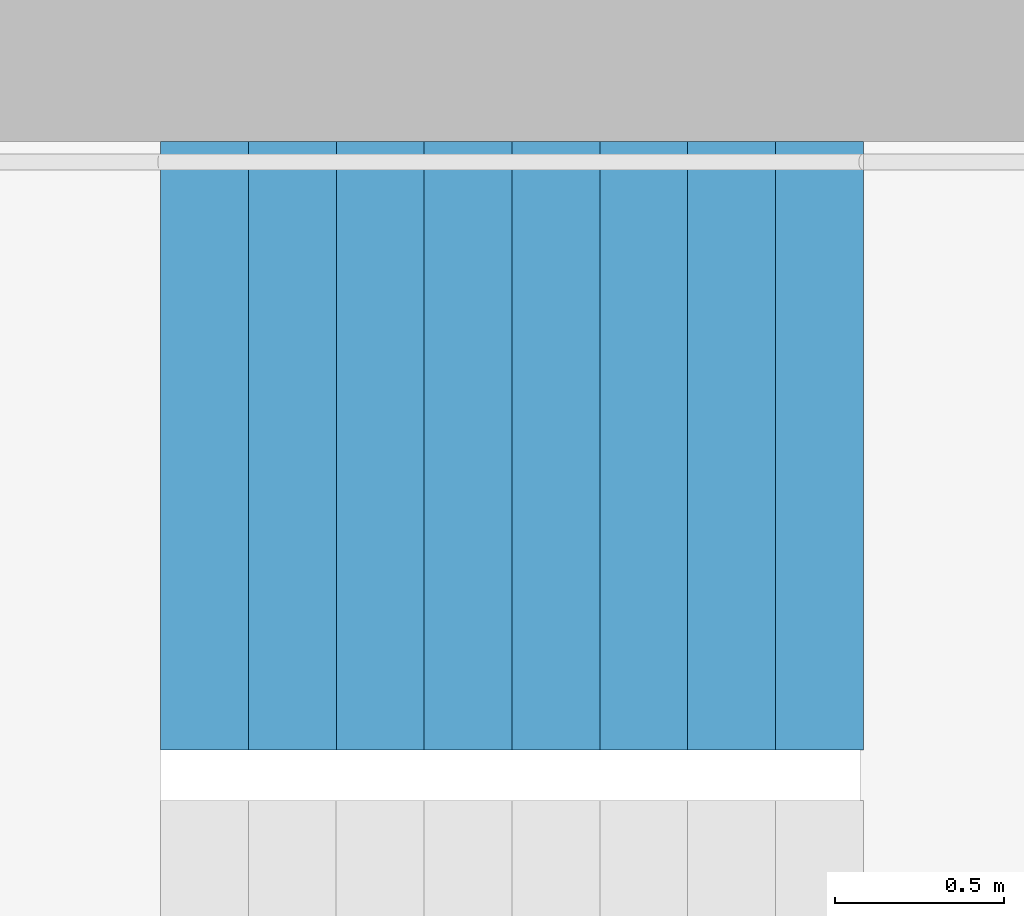
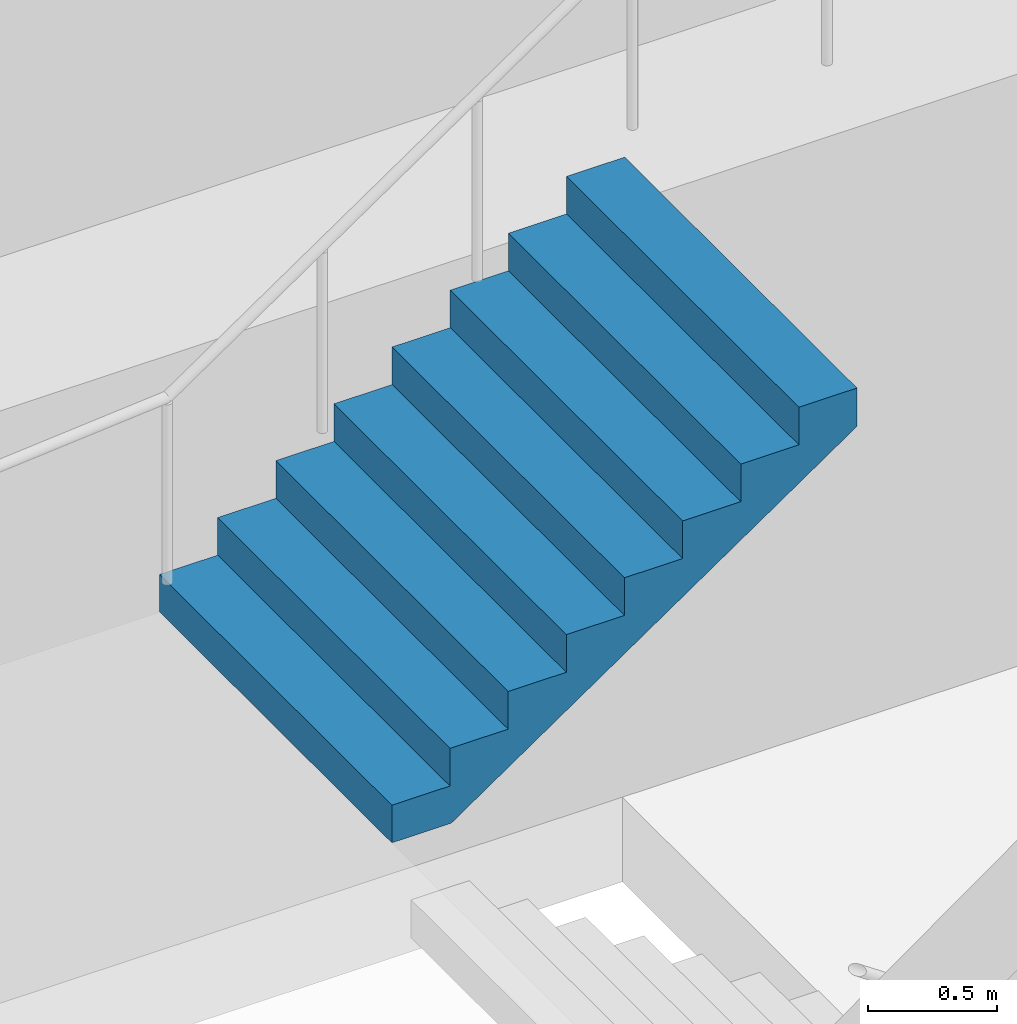
# One storey, part 28 of 29: 1 stair flight, 1 element without a shape of its own.
"""IFC4 building model written with IfcOpenShell, lengths in metres."""

from ifc_helpers import new_model, si_unit, direction, frame, origin, place, context, subcontext, project, spatial, triangles, material, type_object, element, aggregate, save


model = new_model("IFC4")

# Units and contexts
model_context = context("Model", 3, precision=1e-05, world=origin(), true_north=direction((0.0, 1.0)))
body_context = subcontext(model_context, "Body", "Model", "MODEL_VIEW")
ifc_project = project(units=[si_unit("LENGTHUNIT", "METRE"), si_unit("AREAUNIT", "SQUARE_METRE"), si_unit("VOLUMEUNIT", "CUBIC_METRE"), si_unit("PLANEANGLEUNIT", "RADIAN"), si_unit("MASSUNIT", "GRAM", prefix="KILO")], contexts=[model_context])

# Site, building, storey
site_placement = place(None, origin())
site = spatial("IfcSite", under=ifc_project, at=site_placement, CompositionType="ELEMENT")
building_placement = place(site_placement, origin())
building = spatial("IfcBuilding", under=site, at=building_placement, Name="Hakoniwa Tower and Hamabe Station Hall", CompositionType="ELEMENT")
storey_placement = place(building_placement, frame((0.0, 0.0, 23.0)))
storey = spatial("IfcBuildingStorey", under=building, at=storey_placement, Name="L05", CompositionType="ELEMENT", Elevation=23.0)

# Stair, stair flight
ifc_material_1 = material(Name="Concrete C40", Category="concrete")
stair_type = type_object("IfcStairType", Name="ESCAPE STAIR 1800", PredefinedType="HALF_TURN_STAIR", material=ifc_material_1)
stair_placement = place(storey_placement, origin())
stair = element("IfcStair", 1, at=stair_placement, inside=storey, type_object=stair_type, Name="Escape stair ST-3 L05", PredefinedType="HALF_TURN_STAIR")
ifc_material_2 = material(Name="Concrete C40", Category="concrete")
stair_flight_type = type_object("IfcStairFlightType", Name="STAIR FLIGHT 1800", PredefinedType="STRAIGHT", material=ifc_material_2)
stair_flight_placement = place(storey_placement, frame((22.320068359375, 6.60009765625, 1.60009765625), z_axis=(0.0, 0.0, 1.0), x_axis=(1.0, 0.0, 0.0)))
stair_flight = element("IfcStairFlight", 2, at=stair_flight_placement, type_object=stair_flight_type, Name="ST-3 flight 2", NumberOfRisers=9, NumberOfTreads=8, PredefinedType="STRAIGHT", RiserHeight=0.177777778, TreadLength=0.26, context=body_context, shape_type="Tessellation", body=[
    triangles([(0.0, 0.89990234375, 0.0), (0.260009765625, 0.89990234375, 0.0), (0.265625, 0.89990234375, 0.0), (0.52001953125, 0.89990234375, 0.174072265625), (0.780029296875, 0.89990234375, 0.351806640625), (1.0400390625, 0.89990234375, 0.529541015625), (1.300048828125, 0.89990234375, 0.707275390625), (1.56005859375, 0.89990234375, 0.885009765625), (1.820068359375, 0.89990234375, 1.062744140625), (2.080078125, 0.89990234375, 1.24072265625), (2.080078125, 0.89990234375, 1.422119140625), (1.820068359375, 0.89990234375, 1.422119140625), (1.820068359375, 0.89990234375, 1.244384765625), (1.56005859375, 0.89990234375, 1.244384765625), (1.56005859375, 0.89990234375, 1.066650390625), (1.300048828125, 0.89990234375, 1.066650390625), (1.300048828125, 0.89990234375, 0.888916015625), (1.0400390625, 0.89990234375, 0.888916015625), (1.0400390625, 0.89990234375, 0.711181640625), (0.780029296875, 0.89990234375, 0.711181640625), (0.780029296875, 0.89990234375, 0.533447265625), (0.52001953125, 0.89990234375, 0.533447265625), (0.52001953125, 0.89990234375, 0.35546875), (0.265625, 0.89990234375, 0.35546875), (0.260009765625, 0.89990234375, 0.35546875), (0.260009765625, 0.89990234375, 0.177734375), (0.0, 0.89990234375, 0.177734375), (0.0, 0.06005859375, 0.0), (0.260009765625, 0.06005859375, 0.0), (0.265625, 0.06005859375, 0.0), (0.52001953125, 0.06005859375, 0.174072265625), (0.780029296875, 0.06005859375, 0.351806640625), (1.0400390625, 0.06005859375, 0.529541015625), (1.300048828125, 0.06005859375, 0.707275390625), (1.56005859375, 0.06005859375, 0.885009765625), (1.820068359375, 0.06005859375, 1.062744140625), (2.080078125, 0.06005859375, 1.24072265625), (2.080078125, 0.06005859375, 1.422119140625), (1.820068359375, 0.06005859375, 1.422119140625), (1.820068359375, 0.06005859375, 1.244384765625), (1.56005859375, 0.06005859375, 1.244384765625), (1.56005859375, 0.06005859375, 1.066650390625), (1.300048828125, 0.06005859375, 1.066650390625), (1.300048828125, 0.06005859375, 0.888916015625), (1.0400390625, 0.06005859375, 0.888916015625), (1.0400390625, 0.06005859375, 0.711181640625), (0.780029296875, 0.06005859375, 0.711181640625), (0.780029296875, 0.06005859375, 0.533447265625), (0.52001953125, 0.06005859375, 0.533447265625), (0.52001953125, 0.06005859375, 0.35546875), (0.265625, 0.06005859375, 0.35546875), (0.260009765625, 0.06005859375, 0.35546875), (0.260009765625, 0.06005859375, 0.177734375), (0.0, 0.06005859375, 0.177734375), (0.0, 0.04296875, 0.0), (0.260009765625, 0.04296875, 0.0), (0.265625, 0.04296875, 0.0), (0.52001953125, 0.04296875, 0.174072265625), (0.780029296875, 0.04296875, 0.351806640625), (1.0400390625, 0.04296875, 0.529541015625), (1.300048828125, 0.04296875, 0.707275390625), (1.56005859375, 0.04296875, 0.885009765625), (1.820068359375, 0.04296875, 1.062744140625), (2.080078125, 0.04296875, 1.24072265625), (2.080078125, 0.04296875, 1.422119140625), (1.820068359375, 0.04296875, 1.422119140625), (1.820068359375, 0.04296875, 1.244384765625), (1.56005859375, 0.04296875, 1.244384765625), (1.56005859375, 0.04296875, 1.066650390625), (1.300048828125, 0.04296875, 1.066650390625), (1.300048828125, 0.04296875, 0.888916015625), (1.0400390625, 0.04296875, 0.888916015625), (1.0400390625, 0.04296875, 0.711181640625), (0.780029296875, 0.04296875, 0.711181640625), (0.780029296875, 0.04296875, 0.533447265625), (0.52001953125, 0.04296875, 0.533447265625), (0.52001953125, 0.04296875, 0.35546875), (0.265625, 0.04296875, 0.35546875), (0.260009765625, 0.04296875, 0.35546875), (0.260009765625, 0.04296875, 0.177734375), (0.0, 0.04296875, 0.177734375), (0.0, 0.025634765625, 0.0), (0.260009765625, 0.025634765625, 0.0), (0.265625, 0.025634765625, 0.0), (0.52001953125, 0.025634765625, 0.174072265625), (0.780029296875, 0.025634765625, 0.351806640625), (1.0400390625, 0.025634765625, 0.529541015625), (1.300048828125, 0.025634765625, 0.707275390625), (1.56005859375, 0.025634765625, 0.885009765625), (1.820068359375, 0.025634765625, 1.062744140625), (2.080078125, 0.025634765625, 1.24072265625), (2.080078125, 0.025634765625, 1.422119140625), (1.820068359375, 0.025634765625, 1.422119140625), (1.820068359375, 0.025634765625, 1.244384765625), (1.56005859375, 0.025634765625, 1.244384765625), (1.56005859375, 0.025634765625, 1.066650390625), (1.300048828125, 0.025634765625, 1.066650390625), (1.300048828125, 0.025634765625, 0.888916015625), (1.0400390625, 0.025634765625, 0.888916015625), (1.0400390625, 0.025634765625, 0.711181640625), (0.780029296875, 0.025634765625, 0.711181640625), (0.780029296875, 0.025634765625, 0.533447265625), (0.52001953125, 0.025634765625, 0.533447265625), (0.52001953125, 0.025634765625, 0.35546875), (0.265625, 0.025634765625, 0.35546875), (0.260009765625, 0.025634765625, 0.35546875), (0.260009765625, 0.025634765625, 0.177734375), (0.0, 0.025634765625, 0.177734375), (0.0, 0.008544921875, 0.0), (0.260009765625, 0.008544921875, 0.0), (0.265625, 0.008544921875, 0.0), (0.52001953125, 0.008544921875, 0.174072265625), (0.780029296875, 0.008544921875, 0.351806640625), (1.0400390625, 0.008544921875, 0.529541015625), (1.300048828125, 0.008544921875, 0.707275390625), (1.56005859375, 0.008544921875, 0.885009765625), (1.820068359375, 0.008544921875, 1.062744140625), (2.080078125, 0.008544921875, 1.24072265625), (2.080078125, 0.008544921875, 1.422119140625), (1.820068359375, 0.008544921875, 1.422119140625), (1.820068359375, 0.008544921875, 1.244384765625), (1.56005859375, 0.008544921875, 1.244384765625), (1.56005859375, 0.008544921875, 1.066650390625), (1.300048828125, 0.008544921875, 1.066650390625), (1.300048828125, 0.008544921875, 0.888916015625), (1.0400390625, 0.008544921875, 0.888916015625), (1.0400390625, 0.008544921875, 0.711181640625), (0.780029296875, 0.008544921875, 0.711181640625), (0.780029296875, 0.008544921875, 0.533447265625), (0.52001953125, 0.008544921875, 0.533447265625), (0.52001953125, 0.008544921875, 0.35546875), (0.265625, 0.008544921875, 0.35546875), (0.260009765625, 0.008544921875, 0.35546875), (0.260009765625, 0.008544921875, 0.177734375), (0.0, 0.008544921875, 0.177734375), (0.0, -0.008544921875, 0.0), (0.260009765625, -0.008544921875, 0.0), (0.265625, -0.008544921875, 0.0), (0.52001953125, -0.008544921875, 0.174072265625), (0.780029296875, -0.008544921875, 0.351806640625), (1.0400390625, -0.008544921875, 0.529541015625), (1.300048828125, -0.008544921875, 0.707275390625), (1.56005859375, -0.008544921875, 0.885009765625), (1.820068359375, -0.008544921875, 1.062744140625), (2.080078125, -0.008544921875, 1.24072265625), (2.080078125, -0.008544921875, 1.422119140625), (1.820068359375, -0.008544921875, 1.422119140625), (1.820068359375, -0.008544921875, 1.244384765625), (1.56005859375, -0.008544921875, 1.244384765625), (1.56005859375, -0.008544921875, 1.066650390625), (1.300048828125, -0.008544921875, 1.066650390625), (1.300048828125, -0.008544921875, 0.888916015625), (1.0400390625, -0.008544921875, 0.888916015625), (1.0400390625, -0.008544921875, 0.711181640625), (0.780029296875, -0.008544921875, 0.711181640625), (0.780029296875, -0.008544921875, 0.533447265625), (0.52001953125, -0.008544921875, 0.533447265625), (0.52001953125, -0.008544921875, 0.35546875), (0.265625, -0.008544921875, 0.35546875), (0.260009765625, -0.008544921875, 0.35546875), (0.260009765625, -0.008544921875, 0.177734375), (0.0, -0.008544921875, 0.177734375), (0.0, -0.025634765625, 0.0), (0.260009765625, -0.025634765625, 0.0), (0.265625, -0.025634765625, 0.0), (0.52001953125, -0.025634765625, 0.174072265625), (0.780029296875, -0.025634765625, 0.351806640625), (1.0400390625, -0.025634765625, 0.529541015625), (1.300048828125, -0.025634765625, 0.707275390625), (1.56005859375, -0.025634765625, 0.885009765625), (1.820068359375, -0.025634765625, 1.062744140625), (2.080078125, -0.025634765625, 1.24072265625), (2.080078125, -0.025634765625, 1.422119140625), (1.820068359375, -0.025634765625, 1.422119140625), (1.820068359375, -0.025634765625, 1.244384765625), (1.56005859375, -0.025634765625, 1.244384765625), (1.56005859375, -0.025634765625, 1.066650390625), (1.300048828125, -0.025634765625, 1.066650390625), (1.300048828125, -0.025634765625, 0.888916015625), (1.0400390625, -0.025634765625, 0.888916015625), (1.0400390625, -0.025634765625, 0.711181640625), (0.780029296875, -0.025634765625, 0.711181640625), (0.780029296875, -0.025634765625, 0.533447265625), (0.52001953125, -0.025634765625, 0.533447265625), (0.52001953125, -0.025634765625, 0.35546875), (0.265625, -0.025634765625, 0.35546875), (0.260009765625, -0.025634765625, 0.35546875), (0.260009765625, -0.025634765625, 0.177734375), (0.0, -0.025634765625, 0.177734375), (0.0, -0.04296875, 0.0), (0.260009765625, -0.04296875, 0.0), (0.265625, -0.04296875, 0.0), (0.52001953125, -0.04296875, 0.174072265625), (0.780029296875, -0.04296875, 0.351806640625), (1.0400390625, -0.04296875, 0.529541015625), (1.300048828125, -0.04296875, 0.707275390625), (1.56005859375, -0.04296875, 0.885009765625), (1.820068359375, -0.04296875, 1.062744140625), (2.080078125, -0.04296875, 1.24072265625), (2.080078125, -0.04296875, 1.422119140625), (1.820068359375, -0.04296875, 1.422119140625), (1.820068359375, -0.04296875, 1.244384765625), (1.56005859375, -0.04296875, 1.244384765625), (1.56005859375, -0.04296875, 1.066650390625), (1.300048828125, -0.04296875, 1.066650390625), (1.300048828125, -0.04296875, 0.888916015625), (1.0400390625, -0.04296875, 0.888916015625), (1.0400390625, -0.04296875, 0.711181640625), (0.780029296875, -0.04296875, 0.711181640625), (0.780029296875, -0.04296875, 0.533447265625), (0.52001953125, -0.04296875, 0.533447265625), (0.52001953125, -0.04296875, 0.35546875), (0.265625, -0.04296875, 0.35546875), (0.260009765625, -0.04296875, 0.35546875), (0.260009765625, -0.04296875, 0.177734375), (0.0, -0.04296875, 0.177734375), (0.0, -0.06005859375, 0.0), (0.260009765625, -0.06005859375, 0.0), (0.265625, -0.06005859375, 0.0), (0.52001953125, -0.06005859375, 0.174072265625), (0.780029296875, -0.06005859375, 0.351806640625), (1.0400390625, -0.06005859375, 0.529541015625), (1.300048828125, -0.06005859375, 0.707275390625), (1.56005859375, -0.06005859375, 0.885009765625), (1.820068359375, -0.06005859375, 1.062744140625), (2.080078125, -0.06005859375, 1.24072265625), (2.080078125, -0.06005859375, 1.422119140625), (1.820068359375, -0.06005859375, 1.422119140625), (1.820068359375, -0.06005859375, 1.244384765625), (1.56005859375, -0.06005859375, 1.244384765625), (1.56005859375, -0.06005859375, 1.066650390625), (1.300048828125, -0.06005859375, 1.066650390625), (1.300048828125, -0.06005859375, 0.888916015625), (1.0400390625, -0.06005859375, 0.888916015625), (1.0400390625, -0.06005859375, 0.711181640625), (0.780029296875, -0.06005859375, 0.711181640625), (0.780029296875, -0.06005859375, 0.533447265625), (0.52001953125, -0.06005859375, 0.533447265625), (0.52001953125, -0.06005859375, 0.35546875), (0.265625, -0.06005859375, 0.35546875), (0.260009765625, -0.06005859375, 0.35546875), (0.260009765625, -0.06005859375, 0.177734375), (0.0, -0.06005859375, 0.177734375), (0.0, -0.89990234375, 0.0), (0.260009765625, -0.89990234375, 0.0), (0.265625, -0.89990234375, 0.0), (0.52001953125, -0.89990234375, 0.174072265625), (0.780029296875, -0.89990234375, 0.351806640625), (1.0400390625, -0.89990234375, 0.529541015625), (1.300048828125, -0.89990234375, 0.707275390625), (1.56005859375, -0.89990234375, 0.885009765625), (1.820068359375, -0.89990234375, 1.062744140625), (2.080078125, -0.89990234375, 1.24072265625), (2.080078125, -0.89990234375, 1.422119140625), (1.820068359375, -0.89990234375, 1.422119140625), (1.820068359375, -0.89990234375, 1.244384765625), (1.56005859375, -0.89990234375, 1.244384765625), (1.56005859375, -0.89990234375, 1.066650390625), (1.300048828125, -0.89990234375, 1.066650390625), (1.300048828125, -0.89990234375, 0.888916015625), (1.0400390625, -0.89990234375, 0.888916015625), (1.0400390625, -0.89990234375, 0.711181640625), (0.780029296875, -0.89990234375, 0.711181640625), (0.780029296875, -0.89990234375, 0.533447265625), (0.52001953125, -0.89990234375, 0.533447265625), (0.52001953125, -0.89990234375, 0.35546875), (0.265625, -0.89990234375, 0.35546875), (0.260009765625, -0.89990234375, 0.35546875), (0.260009765625, -0.89990234375, 0.177734375), (0.0, -0.89990234375, 0.177734375)], [[2, 27, 26], [245, 269, 270], [2, 1, 27], [245, 270, 244], [3, 25, 24], [246, 267, 268], [3, 26, 25], [246, 268, 269], [3, 2, 26], [246, 269, 245], [4, 24, 23], [247, 266, 267], [4, 3, 24], [247, 267, 246], [5, 22, 21], [248, 264, 265], [5, 23, 22], [248, 265, 266], [5, 4, 23], [248, 266, 247], [6, 20, 19], [249, 262, 263], [6, 21, 20], [249, 263, 264], [6, 5, 21], [249, 264, 248], [7, 18, 17], [250, 260, 261], [7, 19, 18], [250, 261, 262], [7, 6, 19], [250, 262, 249], [8, 16, 15], [251, 258, 259], [8, 17, 16], [251, 259, 260], [8, 7, 17], [251, 260, 250], [9, 14, 13], [252, 256, 257], [9, 15, 14], [252, 257, 258], [9, 8, 15], [252, 258, 251], [10, 12, 11], [253, 254, 255], [10, 13, 12], [253, 255, 256], [10, 9, 13], [253, 256, 252], [1, 2, 29], [1, 29, 28], [28, 29, 56], [28, 56, 55], [55, 56, 83], [55, 83, 82], [82, 83, 110], [82, 110, 109], [109, 110, 137], [109, 137, 136], [136, 137, 164], [136, 164, 163], [163, 164, 191], [163, 191, 190], [190, 191, 218], [190, 218, 217], [217, 218, 245], [217, 245, 244], [2, 3, 30], [2, 30, 29], [29, 30, 57], [29, 57, 56], [56, 57, 84], [56, 84, 83], [83, 84, 111], [83, 111, 110], [110, 111, 138], [110, 138, 137], [137, 138, 165], [137, 165, 164], [164, 165, 192], [164, 192, 191], [191, 192, 219], [191, 219, 218], [218, 219, 246], [218, 246, 245], [3, 4, 31], [3, 31, 30], [30, 31, 58], [30, 58, 57], [57, 58, 85], [57, 85, 84], [84, 85, 112], [84, 112, 111], [111, 112, 139], [111, 139, 138], [138, 139, 166], [138, 166, 165], [165, 166, 193], [165, 193, 192], [192, 193, 220], [192, 220, 219], [219, 220, 247], [219, 247, 246], [4, 5, 32], [4, 32, 31], [31, 32, 59], [31, 59, 58], [58, 59, 86], [58, 86, 85], [85, 86, 113], [85, 113, 112], [112, 113, 140], [112, 140, 139], [139, 140, 167], [139, 167, 166], [166, 167, 194], [166, 194, 193], [193, 194, 221], [193, 221, 220], [220, 221, 248], [220, 248, 247], [5, 6, 33], [5, 33, 32], [32, 33, 60], [32, 60, 59], [59, 60, 87], [59, 87, 86], [86, 87, 114], [86, 114, 113], [113, 114, 141], [113, 141, 140], [140, 141, 168], [140, 168, 167], [167, 168, 195], [167, 195, 194], [194, 195, 222], [194, 222, 221], [221, 222, 249], [221, 249, 248], [6, 7, 34], [6, 34, 33], [33, 34, 61], [33, 61, 60], [60, 61, 88], [60, 88, 87], [87, 88, 115], [87, 115, 114], [114, 115, 142], [114, 142, 141], [141, 142, 169], [141, 169, 168], [168, 169, 196], [168, 196, 195], [195, 196, 223], [195, 223, 222], [222, 223, 250], [222, 250, 249], [7, 8, 35], [7, 35, 34], [34, 35, 62], [34, 62, 61], [61, 62, 89], [61, 89, 88], [88, 89, 116], [88, 116, 115], [115, 116, 143], [115, 143, 142], [142, 143, 170], [142, 170, 169], [169, 170, 197], [169, 197, 196], [196, 197, 224], [196, 224, 223], [223, 224, 251], [223, 251, 250], [8, 9, 36], [8, 36, 35], [35, 36, 63], [35, 63, 62], [62, 63, 90], [62, 90, 89], [89, 90, 117], [89, 117, 116], [116, 117, 144], [116, 144, 143], [143, 144, 171], [143, 171, 170], [170, 171, 198], [170, 198, 197], [197, 198, 225], [197, 225, 224], [224, 225, 252], [224, 252, 251], [9, 10, 37], [9, 37, 36], [36, 37, 64], [36, 64, 63], [63, 64, 91], [63, 91, 90], [90, 91, 118], [90, 118, 117], [117, 118, 145], [117, 145, 144], [144, 145, 172], [144, 172, 171], [171, 172, 199], [171, 199, 198], [198, 199, 226], [198, 226, 225], [225, 226, 253], [225, 253, 252], [10, 11, 38], [10, 38, 37], [37, 38, 65], [37, 65, 64], [64, 65, 92], [64, 92, 91], [91, 92, 119], [91, 119, 118], [118, 119, 146], [118, 146, 145], [145, 146, 173], [145, 173, 172], [172, 173, 200], [172, 200, 199], [199, 200, 227], [199, 227, 226], [226, 227, 254], [226, 254, 253], [11, 12, 39], [11, 39, 38], [38, 39, 66], [38, 66, 65], [65, 66, 93], [65, 93, 92], [92, 93, 120], [92, 120, 119], [119, 120, 147], [119, 147, 146], [146, 147, 174], [146, 174, 173], [173, 174, 201], [173, 201, 200], [200, 201, 228], [200, 228, 227], [227, 228, 255], [227, 255, 254], [12, 13, 40], [12, 40, 39], [39, 40, 67], [39, 67, 66], [66, 67, 94], [66, 94, 93], [93, 94, 121], [93, 121, 120], [120, 121, 148], [120, 148, 147], [147, 148, 175], [147, 175, 174], [174, 175, 202], [174, 202, 201], [201, 202, 229], [201, 229, 228], [228, 229, 256], [228, 256, 255], [13, 14, 41], [13, 41, 40], [40, 41, 68], [40, 68, 67], [67, 68, 95], [67, 95, 94], [94, 95, 122], [94, 122, 121], [121, 122, 149], [121, 149, 148], [148, 149, 176], [148, 176, 175], [175, 176, 203], [175, 203, 202], [202, 203, 230], [202, 230, 229], [229, 230, 257], [229, 257, 256], [14, 15, 42], [14, 42, 41], [41, 42, 69], [41, 69, 68], [68, 69, 96], [68, 96, 95], [95, 96, 123], [95, 123, 122], [122, 123, 150], [122, 150, 149], [149, 150, 177], [149, 177, 176], [176, 177, 204], [176, 204, 203], [203, 204, 231], [203, 231, 230], [230, 231, 258], [230, 258, 257], [15, 16, 43], [15, 43, 42], [42, 43, 70], [42, 70, 69], [69, 70, 97], [69, 97, 96], [96, 97, 124], [96, 124, 123], [123, 124, 151], [123, 151, 150], [150, 151, 178], [150, 178, 177], [177, 178, 205], [177, 205, 204], [204, 205, 232], [204, 232, 231], [231, 232, 259], [231, 259, 258], [16, 17, 44], [16, 44, 43], [43, 44, 71], [43, 71, 70], [70, 71, 98], [70, 98, 97], [97, 98, 125], [97, 125, 124], [124, 125, 152], [124, 152, 151], [151, 152, 179], [151, 179, 178], [178, 179, 206], [178, 206, 205], [205, 206, 233], [205, 233, 232], [232, 233, 260], [232, 260, 259], [17, 18, 45], [17, 45, 44], [44, 45, 72], [44, 72, 71], [71, 72, 99], [71, 99, 98], [98, 99, 126], [98, 126, 125], [125, 126, 153], [125, 153, 152], [152, 153, 180], [152, 180, 179], [179, 180, 207], [179, 207, 206], [206, 207, 234], [206, 234, 233], [233, 234, 261], [233, 261, 260], [18, 19, 46], [18, 46, 45], [45, 46, 73], [45, 73, 72], [72, 73, 100], [72, 100, 99], [99, 100, 127], [99, 127, 126], [126, 127, 154], [126, 154, 153], [153, 154, 181], [153, 181, 180], [180, 181, 208], [180, 208, 207], [207, 208, 235], [207, 235, 234], [234, 235, 262], [234, 262, 261], [19, 20, 47], [19, 47, 46], [46, 47, 74], [46, 74, 73], [73, 74, 101], [73, 101, 100], [100, 101, 128], [100, 128, 127], [127, 128, 155], [127, 155, 154], [154, 155, 182], [154, 182, 181], [181, 182, 209], [181, 209, 208], [208, 209, 236], [208, 236, 235], [235, 236, 263], [235, 263, 262], [20, 21, 48], [20, 48, 47], [47, 48, 75], [47, 75, 74], [74, 75, 102], [74, 102, 101], [101, 102, 129], [101, 129, 128], [128, 129, 156], [128, 156, 155], [155, 156, 183], [155, 183, 182], [182, 183, 210], [182, 210, 209], [209, 210, 237], [209, 237, 236], [236, 237, 264], [236, 264, 263], [21, 22, 49], [21, 49, 48], [48, 49, 76], [48, 76, 75], [75, 76, 103], [75, 103, 102], [102, 103, 130], [102, 130, 129], [129, 130, 157], [129, 157, 156], [156, 157, 184], [156, 184, 183], [183, 184, 211], [183, 211, 210], [210, 211, 238], [210, 238, 237], [237, 238, 265], [237, 265, 264], [22, 23, 50], [22, 50, 49], [49, 50, 77], [49, 77, 76], [76, 77, 104], [76, 104, 103], [103, 104, 131], [103, 131, 130], [130, 131, 158], [130, 158, 157], [157, 158, 185], [157, 185, 184], [184, 185, 212], [184, 212, 211], [211, 212, 239], [211, 239, 238], [238, 239, 266], [238, 266, 265], [23, 24, 51], [23, 51, 50], [50, 51, 78], [50, 78, 77], [77, 78, 105], [77, 105, 104], [104, 105, 132], [104, 132, 131], [131, 132, 159], [131, 159, 158], [158, 159, 186], [158, 186, 185], [185, 186, 213], [185, 213, 212], [212, 213, 240], [212, 240, 239], [239, 240, 267], [239, 267, 266], [24, 25, 52], [24, 52, 51], [51, 52, 79], [51, 79, 78], [78, 79, 106], [78, 106, 105], [105, 106, 133], [105, 133, 132], [132, 133, 160], [132, 160, 159], [159, 160, 187], [159, 187, 186], [186, 187, 214], [186, 214, 213], [213, 214, 241], [213, 241, 240], [240, 241, 268], [240, 268, 267], [25, 26, 53], [25, 53, 52], [52, 53, 80], [52, 80, 79], [79, 80, 107], [79, 107, 106], [106, 107, 134], [106, 134, 133], [133, 134, 161], [133, 161, 160], [160, 161, 188], [160, 188, 187], [187, 188, 215], [187, 215, 214], [214, 215, 242], [214, 242, 241], [241, 242, 269], [241, 269, 268], [26, 27, 54], [26, 54, 53], [53, 54, 81], [53, 81, 80], [80, 81, 108], [80, 108, 107], [107, 108, 135], [107, 135, 134], [134, 135, 162], [134, 162, 161], [161, 162, 189], [161, 189, 188], [188, 189, 216], [188, 216, 215], [215, 216, 243], [215, 243, 242], [242, 243, 270], [242, 270, 269], [27, 1, 28], [27, 28, 54], [54, 28, 55], [54, 55, 81], [81, 55, 82], [81, 82, 108], [108, 82, 109], [108, 109, 135], [135, 109, 136], [135, 136, 162], [162, 136, 163], [162, 163, 189], [189, 163, 190], [189, 190, 216], [216, 190, 217], [216, 217, 243], [243, 217, 244], [243, 244, 270]], closed=True),
])
aggregate(stair, [stair_flight])

save(model, "model.ifc")
